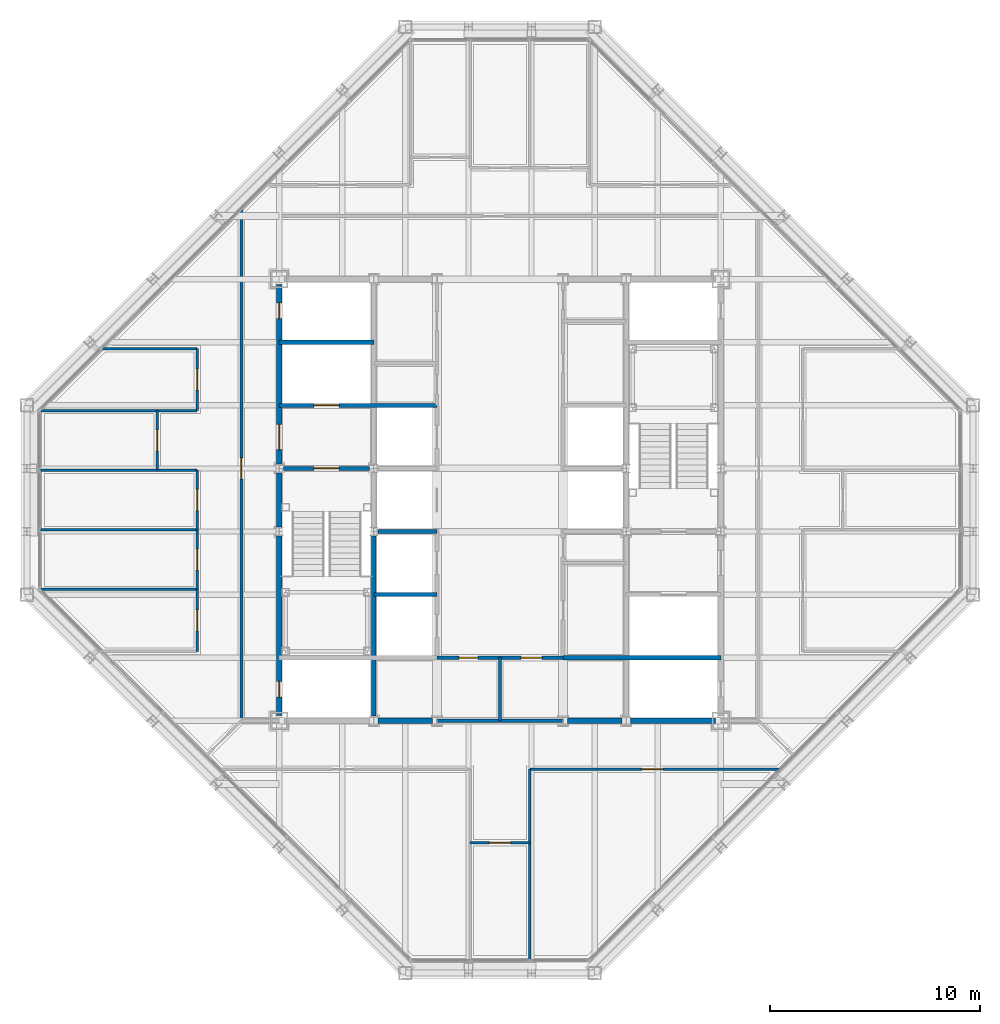
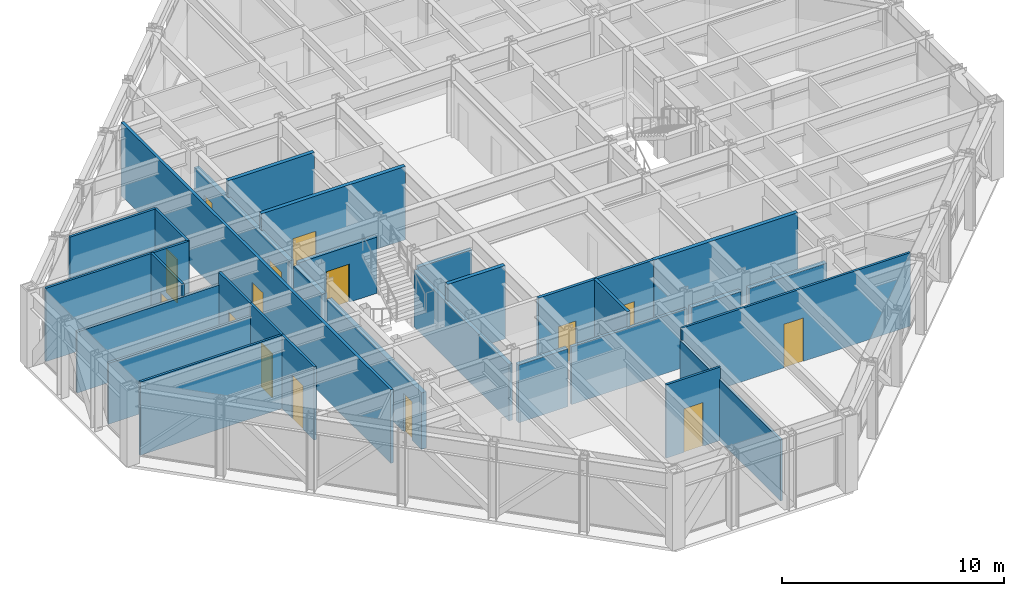
# One storey, part 10 of 15: 30 walls, 15 doors, 15 openings.
"""IFC4 building model written with IfcOpenShell, lengths in metres."""

from ifc_helpers import new_model, si_unit, direction, frame, frame_2d, origin, place, context, subcontext, project, spatial, rectangle, extrude, material, layer, layer_set, type_object, element, fill, save


model = new_model("IFC4")

# Units and contexts
model_context = context("Model", 3, precision=1e-05, world=origin(), true_north=direction((0.0, 1.0)))
body_context = subcontext(model_context, "Body", "Model", "MODEL_VIEW")
ifc_project = project(units=[si_unit("LENGTHUNIT", "METRE"), si_unit("AREAUNIT", "SQUARE_METRE"), si_unit("VOLUMEUNIT", "CUBIC_METRE"), si_unit("PLANEANGLEUNIT", "RADIAN"), si_unit("MASSUNIT", "GRAM", prefix="KILO")], contexts=[model_context])

# Site, building, storey
site_placement = place(None, origin())
site = spatial("IfcSite", under=ifc_project, at=site_placement, CompositionType="ELEMENT")
building_placement = place(site_placement, origin())
building = spatial("IfcBuilding", under=site, at=building_placement, Name="Chuquiago Exchange Tower", CompositionType="ELEMENT")
storey_placement = place(building_placement, frame((0.0, 0.0, 283.199951171875)))
storey = spatial("IfcBuildingStorey", under=building, at=storey_placement, Name="L63", CompositionType="ELEMENT", Elevation=283.199951171875)

# Wall, opening, door
ifc_material_1 = material(Name="Concrete masonry, fully grouted", Category="masonry")
ifc_layer_1 = layer(ifc_material_1, 0.25)
ifc_layer_set_1 = layer_set([ifc_layer_1], Name="W1 core wall 250")
wall_type_1 = type_object("IfcWallType", Name="W1 core wall 250", PredefinedType="SOLIDWALL", material=ifc_layer_set_1)
wall_1_placement = place(storey_placement, frame((12.0, 12.25, 0.0), z_axis=(0.0, 0.0, 1.0), x_axis=(0.0, 1.0, 0.0)))
wall_1 = element("IfcWall", 1, at=wall_1_placement, inside=storey, type_object=wall_type_1, Name="CW-L63-00-0", PredefinedType="SOLIDWALL", context=body_context, shape_type="SweptSolid", body=[
    extrude(rectangle(XDim=8.527587890625, YDim=0.25, at=frame_2d((4.263671875, 0.0))), origin(), (0.0, 0.0, 1.0), 3.113037109375),
])
opening_1_placement = place(wall_1_placement, frame((0.875, 0.0, 0.0)))
opening_1 = element("IfcOpeningElement", 2, at=opening_1_placement, cuts=wall_1, Name="Opening L63-007", PredefinedType="OPENING", context=body_context, shape_type="SweptSolid", body=[
    extrude(rectangle(XDim=0.75, YDim=2.10009765625, at=frame_2d((0.375, 1.050048828125))), frame((0.0, 0.135009765625, 0.0), z_axis=(0.0, -1.0, 0.0), x_axis=(1.0, 0.0, 0.0)), (0.0, 0.0, 1.0), 0.27001953125),
])
ifc_material_2 = material(Name="Steel door, painted", Category="steel")
door_type_1 = type_object("IfcDoorType", Name="D6 riser access door 750x2100", OperationType="SINGLE_SWING_LEFT", PredefinedType="DOOR", material=ifc_material_2)
door_1_placement = place(opening_1_placement, frame((0.75, 0.0, 0.0), z_axis=(0.0, 0.0, 1.0), x_axis=(-1.0, 0.0, 0.0)))
door_1 = element("IfcDoor", 3, at=door_1_placement, inside=storey, type_object=door_type_1, Name="Riser RW1 door", OperationType="SINGLE_SWING_RIGHT", OverallHeight=2.10009765625, OverallWidth=0.75, PredefinedType="DOOR", context=body_context, shape_type="SweptSolid", body=[
    extrude(rectangle(XDim=0.75, YDim=2.10009765625, at=frame_2d((0.375, 1.050048828125))), frame((0.0, 0.02490234375, 0.0), z_axis=(0.0, -1.0, 0.0), x_axis=(1.0, 0.0, 0.0)), (0.0, 0.0, 1.0), 0.050048828125),
])
fill(opening_1, door_1)

# Wall
wall_2_placement = place(storey_placement, frame((12.0, 21.222412109375, 0.0), z_axis=(0.0, 0.0, 1.0), x_axis=(0.0, 1.0, 0.0)))
element("IfcWall", 4, at=wall_2_placement, inside=storey, type_object=wall_type_1, Name="CW-L63-00-1", PredefinedType="SOLIDWALL", context=body_context, shape_type="SweptSolid", body=[
    extrude(rectangle(XDim=2.55517578125, YDim=0.25, at=frame_2d((1.277587890625, 0.0))), origin(), (0.0, 0.0, 1.0), 3.113037109375),
])

# Wall, openings, doors
wall_3_placement = place(storey_placement, frame((12.0, 24.222412109375, 0.0), z_axis=(0.0, 0.0, 1.0), x_axis=(0.0, 1.0, 0.0)))
wall_3 = element("IfcWall", 5, at=wall_3_placement, inside=storey, type_object=wall_type_1, Name="CW-L63-00-2", PredefinedType="SOLIDWALL", context=body_context, shape_type="SweptSolid", body=[
    extrude(rectangle(XDim=8.527587890625, YDim=0.25, at=frame_2d((4.263671875, 0.0))), origin(), (0.0, 0.0, 1.0), 3.113037109375),
])
opening_2_placement = place(wall_3_placement, frame((0.677734375, 0.0, 0.0)))
opening_2 = element("IfcOpeningElement", 6, at=opening_2_placement, cuts=wall_3, Name="Opening L63-002", PredefinedType="OPENING", context=body_context, shape_type="SweptSolid", body=[
    extrude(rectangle(XDim=1.199951171875, YDim=2.10009765625, at=frame_2d((0.60009765625, 1.050048828125))), frame((0.0, 0.135009765625, 0.0), z_axis=(0.0, -1.0, 0.0), x_axis=(1.0, 0.0, 0.0)), (0.0, 0.0, 1.0), 0.27001953125),
])
opening_3_placement = place(wall_3_placement, frame((6.902587890625, 0.0, 0.0)))
opening_3 = element("IfcOpeningElement", 7, at=opening_3_placement, cuts=wall_3, Name="Opening L63-008", PredefinedType="OPENING", context=body_context, shape_type="SweptSolid", body=[
    extrude(rectangle(XDim=0.75, YDim=2.10009765625, at=frame_2d((0.375, 1.050048828125))), frame((0.0, 0.135009765625, 0.0), z_axis=(0.0, -1.0, 0.0), x_axis=(1.0, 0.0, 0.0)), (0.0, 0.0, 1.0), 0.27001953125),
])
ifc_material_3 = material(Name="Steel door, painted", Category="steel")
door_type_2 = type_object("IfcDoorType", Name="D5 firefighting lobby door 1200x2100", OperationType="SINGLE_SWING_LEFT", PredefinedType="DOOR", material=ifc_material_3)
door_2_placement = place(opening_2_placement, frame((1.199951171875, 0.0, 0.0), z_axis=(0.0, 0.0, 1.0), x_axis=(-1.0, 0.0, 0.0)))
door_2 = element("IfcDoor", 8, at=door_2_placement, inside=storey, type_object=door_type_2, Name="Firefighting lobby 1 door", OperationType="SINGLE_SWING_RIGHT", OverallHeight=2.10009765625, OverallWidth=1.199951171875, PredefinedType="DOOR", context=body_context, shape_type="SweptSolid", body=[
    extrude(rectangle(XDim=1.199951171875, YDim=2.10009765625, at=frame_2d((0.60009765625, 1.050048828125))), frame((0.0, 0.02490234375, 0.0), z_axis=(0.0, -1.0, 0.0), x_axis=(1.0, 0.0, 0.0)), (0.0, 0.0, 1.0), 0.050048828125),
])
fill(opening_2, door_2)
door_3_placement = place(opening_3_placement, frame((0.75, 0.0, 0.0), z_axis=(0.0, 0.0, 1.0), x_axis=(-1.0, 0.0, 0.0)))
door_3 = element("IfcDoor", 9, at=door_3_placement, inside=storey, type_object=door_type_1, Name="Riser RW2 door", OperationType="SINGLE_SWING_LEFT", OverallHeight=2.10009765625, OverallWidth=0.75, PredefinedType="DOOR", context=body_context, shape_type="SweptSolid", body=[
    extrude(rectangle(XDim=0.75, YDim=2.10009765625, at=frame_2d((0.375, 1.050048828125))), frame((0.0, 0.02490234375, 0.0), z_axis=(0.0, -1.0, 0.0), x_axis=(1.0, 0.0, 0.0)), (0.0, 0.0, 1.0), 0.050048828125),
])
fill(opening_3, door_3)

# Walls
for number, where, z_axis, x_axis, name in (
    (10, (16.708251953125, 12.0, 0.0), (0.0, 0.0, 1.0), (1.0, 0.0, 0.0), "CW-L63-01-1"),
    (11, (25.708251953125, 12.0, 0.0), (0.0, 0.0, 1.0), (1.0, 0.0, 0.0), "CW-L63-02-0"),
):
    element("IfcWall", number, at=place(storey_placement, frame(where, z_axis=z_axis, x_axis=x_axis)), inside=storey, type_object=wall_type_1, Name=name, PredefinedType="SOLIDWALL", context=body_context, shape_type="SweptSolid", body=[
        extrude(rectangle(XDim=2.58349609375, YDim=0.25, at=frame_2d((1.291748046875, 0.0))), origin(), (0.0, 0.0, 1.0), 3.181640625),
    ])
wall_4_placement = place(storey_placement, frame((28.708251953125, 12.0, 0.0), z_axis=(0.0, 0.0, 1.0), x_axis=(1.0, 0.0, 0.0)))
element("IfcWall", 12, at=wall_4_placement, inside=storey, type_object=wall_type_1, Name="CW-L63-02-1", PredefinedType="SOLIDWALL", context=body_context, shape_type="SweptSolid", body=[
    extrude(rectangle(XDim=4.041748046875, YDim=0.25, at=frame_2d((2.02099609375, 0.0))), origin(), (0.0, 0.0, 1.0), 3.181640625),
])

# Wall, opening, door
ifc_material_4 = material(Name="Gypsum board on steel studs, acoustic insulation", Category="steel")
ifc_layer_2 = layer(ifc_material_4, 0.14990234375)
ifc_layer_set_2 = layer_set([ifc_layer_2], Name="W11 corridor wall 150")
wall_type_2 = type_object("IfcWallType", Name="W11 corridor wall 150", PredefinedType="PARTITIONING", material=ifc_layer_set_2)
wall_5_placement = place(storey_placement, frame((10.199951171875, 12.0, 0.0), z_axis=(0.0, 0.0, 1.0), x_axis=(0.0, 1.0, 0.0)))
wall_5 = element("IfcWall", 13, at=wall_5_placement, inside=storey, type_object=wall_type_2, Name="PW-L63-GW0", PredefinedType="PARTITIONING", context=body_context, shape_type="SweptSolid", body=[
    extrude(rectangle(XDim=24.314453125, YDim=0.14990234375, at=frame_2d((12.1572265625, 0.0))), origin(), (0.0, 0.0, 1.0), 4.0400390625),
])
opening_4_placement = place(wall_5_placement, frame((11.5, 0.0, 0.0)))
opening_4 = element("IfcOpeningElement", 14, at=opening_4_placement, cuts=wall_5, Name="Opening L63-040", PredefinedType="OPENING", context=body_context, shape_type="SweptSolid", body=[
    extrude(rectangle(XDim=1.0, YDim=2.39990234375, at=frame_2d((0.5, 1.199951171875))), frame((0.0, 0.0849609375, 0.0), z_axis=(0.0, -1.0, 0.0), x_axis=(1.0, 0.0, 0.0)), (0.0, 0.0, 1.0), 0.169921875),
])
ifc_material_5 = material(Name="Timber door, laminate faced", Category="wood")
door_type_3 = type_object("IfcDoorType", Name="D9 room door 1000x2400", OperationType="SINGLE_SWING_LEFT", PredefinedType="DOOR", material=ifc_material_5)
door_4_placement = place(opening_4_placement, origin())
door_4 = element("IfcDoor", 15, at=door_4_placement, inside=storey, type_object=door_type_3, Name="Team area door", OperationType="SINGLE_SWING_LEFT", OverallHeight=2.39990234375, OverallWidth=1.0, PredefinedType="DOOR", context=body_context, shape_type="SweptSolid", body=[
    extrude(rectangle(XDim=1.0, YDim=2.39990234375, at=frame_2d((0.5, 1.199951171875))), frame((0.0, 0.02490234375, 0.0), z_axis=(0.0, -1.0, 0.0), x_axis=(1.0, 0.0, 0.0)), (0.0, 0.0, 1.0), 0.050048828125),
])
fill(opening_4, door_4)

# Wall
ifc_material_6 = material(Name="Concrete masonry, fully grouted", Category="masonry")
ifc_layer_3 = layer(ifc_material_6, 0.199951171875)
ifc_layer_set_3 = layer_set([ifc_layer_3], Name="W2 shaft wall 200")
wall_type_3 = type_object("IfcWallType", Name="W2 shaft wall 200", PredefinedType="SOLIDWALL", material=ifc_layer_set_3)
wall_6_placement = place(storey_placement, frame((25.5, 15.0, 0.0), z_axis=(0.0, 0.0, 1.0), x_axis=(1.0, 0.0, 0.0)))
element("IfcWall", 16, at=wall_6_placement, inside=storey, type_object=wall_type_3, Name="CW-L63-04-0", PredefinedType="SOLIDWALL", context=body_context, shape_type="SweptSolid", body=[
    extrude(rectangle(XDim=7.5, YDim=0.199951171875, at=frame_2d((3.75, 0.0))), origin(), (0.0, 0.0, 1.0), 4.0400390625),
])

# Wall, opening, door
wall_7_placement = place(storey_placement, frame((12.208251953125, 24.0, 0.0), z_axis=(0.0, 0.0, 1.0), x_axis=(1.0, 0.0, 0.0)))
wall_7 = element("IfcWall", 17, at=wall_7_placement, inside=storey, type_object=wall_type_3, Name="CW-L63-05-0", PredefinedType="SOLIDWALL", context=body_context, shape_type="SweptSolid", body=[
    extrude(rectangle(XDim=4.08349609375, YDim=0.199951171875, at=frame_2d((2.041748046875, 0.0))), origin(), (0.0, 0.0, 1.0), 3.090087890625),
])
opening_5_placement = place(wall_7_placement, frame((1.441650390625, 0.0, 0.0)))
opening_5 = element("IfcOpeningElement", 18, at=opening_5_placement, cuts=wall_7, Name="Opening L63-001", PredefinedType="OPENING", context=body_context, shape_type="SweptSolid", body=[
    extrude(rectangle(XDim=1.199951171875, YDim=2.10009765625, at=frame_2d((0.60009765625, 1.050048828125))), frame((0.0, 0.10986328125, 0.0), z_axis=(0.0, -1.0, 0.0), x_axis=(1.0, 0.0, 0.0)), (0.0, 0.0, 1.0), 0.219970703125),
])
ifc_material_7 = material(Name="Steel door, painted", Category="steel")
door_type_4 = type_object("IfcDoorType", Name="D4 stair door 1200x2100", OperationType="SINGLE_SWING_LEFT", PredefinedType="DOOR", material=ifc_material_7)
door_5_placement = place(opening_5_placement, frame((1.199951171875, 0.0, 0.0), z_axis=(0.0, 0.0, 1.0), x_axis=(-1.0, 0.0, 0.0)))
door_5 = element("IfcDoor", 19, at=door_5_placement, inside=storey, type_object=door_type_4, Name="Stair ST1 door", OperationType="SINGLE_SWING_LEFT", OverallHeight=2.10009765625, OverallWidth=1.199951171875, PredefinedType="DOOR", context=body_context, shape_type="SweptSolid", body=[
    extrude(rectangle(XDim=1.199951171875, YDim=2.10009765625, at=frame_2d((0.60009765625, 1.050048828125))), frame((0.0, 0.02490234375, 0.0), z_axis=(0.0, -1.0, 0.0), x_axis=(1.0, 0.0, 0.0)), (0.0, 0.0, 1.0), 0.050048828125),
])
fill(opening_5, door_5)

wall_8_placement = place(storey_placement, frame((12.0, 27.0, 0.0), z_axis=(0.0, 0.0, 1.0), x_axis=(1.0, 0.0, 0.0)))
wall_8 = element("IfcWall", 20, at=wall_8_placement, inside=storey, type_object=wall_type_3, Name="CW-L63-07-0", PredefinedType="SOLIDWALL", context=body_context, shape_type="SweptSolid", body=[
    extrude(rectangle(XDim=7.5, YDim=0.199951171875, at=frame_2d((3.75, 0.0))), origin(), (0.0, 0.0, 1.0), 4.0400390625),
])
opening_6_placement = place(wall_8_placement, frame((1.64990234375, 0.0, 0.0)))
opening_6 = element("IfcOpeningElement", 21, at=opening_6_placement, cuts=wall_8, Name="Opening L63-005", PredefinedType="OPENING", context=body_context, shape_type="SweptSolid", body=[
    extrude(rectangle(XDim=1.199951171875, YDim=2.10009765625, at=frame_2d((0.60009765625, 1.050048828125))), frame((0.0, 0.10986328125, 0.0), z_axis=(0.0, -1.0, 0.0), x_axis=(1.0, 0.0, 0.0)), (0.0, 0.0, 1.0), 0.219970703125),
])
ifc_material_8 = material(Name="Stainless steel lift landing door", Category="steel")
door_type_5 = type_object("IfcDoorType", Name="LD2 firefighting lift landing door 1200x2100", OperationType="DOUBLE_DOOR_SLIDING", PredefinedType="DOOR", material=ifc_material_8)
door_6_placement = place(opening_6_placement, origin())
door_6 = element("IfcDoor", 22, at=door_6_placement, inside=storey, type_object=door_type_5, Name="Firefighting lift FL1 landing door", OperationType="DOUBLE_DOOR_SLIDING", OverallHeight=2.10009765625, OverallWidth=1.199951171875, PredefinedType="DOOR", context=body_context, shape_type="SweptSolid", body=[
    extrude(rectangle(XDim=1.199951171875, YDim=2.10009765625, at=frame_2d((0.60009765625, 1.050048828125))), frame((0.0, 0.02490234375, 0.0), z_axis=(0.0, -1.0, 0.0), x_axis=(1.0, 0.0, 0.0)), (0.0, 0.0, 1.0), 0.050048828125),
])
fill(opening_6, door_6)

# Walls
wall_9_placement = place(storey_placement, frame((12.0, 30.0, 0.0), z_axis=(0.0, 0.0, 1.0), x_axis=(1.0, 0.0, 0.0)))
element("IfcWall", 23, at=wall_9_placement, inside=storey, type_object=wall_type_3, Name="CW-L63-09-0", PredefinedType="SOLIDWALL", context=body_context, shape_type="SweptSolid", body=[
    extrude(rectangle(XDim=4.5, YDim=0.199951171875, at=frame_2d((2.25, 0.0))), origin(), (0.0, 0.0, 1.0), 4.0400390625),
])
wall_10_placement = place(storey_placement, frame((16.5, 12.222412109375, 0.0), z_axis=(0.0, 0.0, 1.0), x_axis=(0.0, 1.0, 0.0)))
element("IfcWall", 24, at=wall_10_placement, inside=storey, type_object=wall_type_3, Name="CW-L63-13-0", PredefinedType="SOLIDWALL", context=body_context, shape_type="SweptSolid", body=[
    extrude(rectangle(XDim=8.55517578125, YDim=0.199951171875, at=frame_2d((4.277587890625, 0.0))), origin(), (0.0, 0.0, 1.0), 3.113037109375),
])
wall_11_placement = place(storey_placement, frame((16.5, 18.0, 0.0), z_axis=(0.0, 0.0, 1.0), x_axis=(1.0, 0.0, 0.0)))
element("IfcWall", 25, at=wall_11_placement, inside=storey, type_object=wall_type_3, Name="CW-L63-14-0", PredefinedType="SOLIDWALL", context=body_context, shape_type="SweptSolid", body=[
    extrude(rectangle(XDim=3.0, YDim=0.199951171875, at=frame_2d((1.5, 0.0))), origin(), (0.0, 0.0, 1.0), 4.0400390625),
])
wall_12_placement = place(storey_placement, frame((16.708251953125, 21.0, 0.0), z_axis=(0.0, 0.0, 1.0), x_axis=(1.0, 0.0, 0.0)))
element("IfcWall", 26, at=wall_12_placement, inside=storey, type_object=wall_type_3, Name="CW-L63-16-0", PredefinedType="SOLIDWALL", context=body_context, shape_type="SweptSolid", body=[
    extrude(rectangle(XDim=2.791748046875, YDim=0.199951171875, at=frame_2d((1.39599609375, 0.0))), origin(), (0.0, 0.0, 1.0), 3.090087890625),
])

# Wall, openings, doors
ifc_material_9 = material(Name="Gypsum board on steel studs", Category="steel")
ifc_layer_4 = layer(ifc_material_9, 0.14990234375)
ifc_layer_set_4 = layer_set([ifc_layer_4], Name="W3 core partition 150")
wall_type_4 = type_object("IfcWallType", Name="W3 core partition 150", PredefinedType="PARTITIONING", material=ifc_layer_set_4)
wall_13_placement = place(storey_placement, frame((19.5, 15.0, 0.0), z_axis=(0.0, 0.0, 1.0), x_axis=(1.0, 0.0, 0.0)))
wall_13 = element("IfcWall", 27, at=wall_13_placement, inside=storey, type_object=wall_type_4, Name="CW-L63-TF", PredefinedType="PARTITIONING", context=body_context, shape_type="SweptSolid", body=[
    extrude(rectangle(XDim=6.0, YDim=0.14990234375, at=frame_2d((3.0, 0.0))), origin(), (0.0, 0.0, 1.0), 4.0400390625),
])
opening_7_placement = place(wall_13_placement, frame((4.0, 0.0, 0.0)))
opening_7 = element("IfcOpeningElement", 28, at=opening_7_placement, cuts=wall_13, Name="Opening L63-015", PredefinedType="OPENING", context=body_context, shape_type="SweptSolid", body=[
    extrude(rectangle(XDim=1.0, YDim=2.10009765625, at=frame_2d((0.5, 1.050048828125))), frame((0.0, 0.0849609375, 0.0), z_axis=(0.0, -1.0, 0.0), x_axis=(1.0, 0.0, 0.0)), (0.0, 0.0, 1.0), 0.169921875),
])
opening_8_placement = place(wall_13_placement, frame((1.050048828125, 0.0, 0.0)))
opening_8 = element("IfcOpeningElement", 29, at=opening_8_placement, cuts=wall_13, Name="Opening L63-018", PredefinedType="OPENING", context=body_context, shape_type="SweptSolid", body=[
    extrude(rectangle(XDim=0.89990234375, YDim=2.10009765625, at=frame_2d((0.449951171875, 1.050048828125))), frame((0.0, 0.0849609375, 0.0), z_axis=(0.0, -1.0, 0.0), x_axis=(1.0, 0.0, 0.0)), (0.0, 0.0, 1.0), 0.169921875),
])
ifc_material_10 = material(Name="Timber door, laminate faced", Category="wood")
door_type_6 = type_object("IfcDoorType", Name="D7 toilet door 900x2100", OperationType="SINGLE_SWING_LEFT", PredefinedType="DOOR", material=ifc_material_10)
door_7_placement = place(opening_8_placement, origin())
door_7 = element("IfcDoor", 30, at=door_7_placement, inside=storey, type_object=door_type_6, Name="Cleaner door", OperationType="SINGLE_SWING_LEFT", OverallHeight=2.10009765625, OverallWidth=0.89990234375, PredefinedType="DOOR", context=body_context, shape_type="SweptSolid", body=[
    extrude(rectangle(XDim=0.89990234375, YDim=2.10009765625, at=frame_2d((0.449951171875, 1.050048828125))), frame((0.0, 0.02490234375, 0.0), z_axis=(0.0, -1.0, 0.0), x_axis=(1.0, 0.0, 0.0)), (0.0, 0.0, 1.0), 0.050048828125),
])
fill(opening_8, door_7)
ifc_material_11 = material(Name="Timber door, laminate faced", Category="wood")
door_type_7 = type_object("IfcDoorType", Name="D8 accessible toilet door 1000x2100", OperationType="SLIDING_TO_LEFT", PredefinedType="DOOR", material=ifc_material_11)
door_8_placement = place(opening_7_placement, origin())
door_8 = element("IfcDoor", 31, at=door_8_placement, inside=storey, type_object=door_type_7, Name="Accessible WC door", OperationType="SLIDING_TO_LEFT", OverallHeight=2.10009765625, OverallWidth=1.0, PredefinedType="DOOR", context=body_context, shape_type="SweptSolid", body=[
    extrude(rectangle(XDim=1.0, YDim=2.10009765625, at=frame_2d((0.5, 1.050048828125))), frame((0.0, 0.02490234375, 0.0), z_axis=(0.0, -1.0, 0.0), x_axis=(1.0, 0.0, 0.0)), (0.0, 0.0, 1.0), 0.050048828125),
])
fill(opening_7, door_8)

# Walls
wall_14_placement = place(storey_placement, frame((22.5, 15.0, 0.0), z_axis=(0.0, 0.0, 1.0), x_axis=(0.0, -1.0, 0.0)))
element("IfcWall", 32, at=wall_14_placement, inside=storey, type_object=wall_type_4, Name="CW-L63-TM", PredefinedType="PARTITIONING", context=body_context, shape_type="SweptSolid", body=[
    extrude(rectangle(XDim=3.0, YDim=0.14990234375, at=frame_2d((1.5, 0.0))), origin(), (0.0, 0.0, 1.0), 4.0400390625),
])
wall_15_placement = place(storey_placement, frame((19.5, 12.0, 0.0), z_axis=(0.0, 0.0, 1.0), x_axis=(1.0, 0.0, 0.0)))
element("IfcWall", 33, at=wall_15_placement, inside=storey, type_object=wall_type_4, Name="CW-L63-TB", PredefinedType="PARTITIONING", context=body_context, shape_type="SweptSolid", body=[
    extrude(rectangle(XDim=6.0, YDim=0.14990234375, at=frame_2d((3.0, 0.0))), origin(), (0.0, 0.0, 1.0), 3.181640625),
])
ifc_material_12 = material(Name="Gypsum board on steel studs", Category="steel")
ifc_layer_5 = layer(ifc_material_12, 0.1201171875)
ifc_layer_set_5 = layer_set([ifc_layer_5], Name="W4 partition 120")
wall_type_5 = type_object("IfcWallType", Name="W4 partition 120", PredefinedType="PARTITIONING", material=ifc_layer_set_5)
wall_16_placement = place(storey_placement, frame((23.917236328125, 0.652587890625, 0.0), z_axis=(0.0, 0.0, 1.0), x_axis=(0.0, 1.0, 0.0)))
element("IfcWall", 34, at=wall_16_placement, inside=storey, type_object=wall_type_5, Name="PW-L63-S02392", PredefinedType="PARTITIONING", context=body_context, shape_type="SweptSolid", body=[
    extrude(rectangle(XDim=9.04736328125, YDim=0.1201171875, at=frame_2d((4.523681640625, 0.0))), origin(), (0.0, 0.0, 1.0), 3.35693359375),
])

# Wall, opening, door
wall_17_placement = place(storey_placement, frame((21.082763671875, 6.199951171875, 0.0), z_axis=(0.0, 0.0, 1.0), x_axis=(1.0, 0.0, 0.0)))
wall_17 = element("IfcWall", 35, at=wall_17_placement, inside=storey, type_object=wall_type_5, Name="PW-L63-SF02108", PredefinedType="PARTITIONING", context=body_context, shape_type="SweptSolid", body=[
    extrude(rectangle(XDim=2.83447265625, YDim=0.1201171875, at=frame_2d((1.417236328125, 0.0))), origin(), (0.0, 0.0, 1.0), 4.0400390625),
])
opening_9_placement = place(wall_17_placement, frame((0.917236328125, 0.0, 0.0)))
opening_9 = element("IfcOpeningElement", 36, at=opening_9_placement, cuts=wall_17, Name="Opening L63-024", PredefinedType="OPENING", context=body_context, shape_type="SweptSolid", body=[
    extrude(rectangle(XDim=1.0, YDim=2.39990234375, at=frame_2d((0.5, 1.199951171875))), frame((0.0, 0.070068359375, 0.0), z_axis=(0.0, -1.0, 0.0), x_axis=(1.0, 0.0, 0.0)), (0.0, 0.0, 1.0), 0.14013671875),
])
ifc_material_13 = material(Name="Timber frame door, full height glazed panel", Category="wood")
door_type_8 = type_object("IfcDoorType", Name="D14 glazed meeting room door 1000x2400", OperationType="SINGLE_SWING_LEFT", PredefinedType="DOOR", material=ifc_material_13)
door_9_placement = place(opening_9_placement, frame((1.0, 0.0, 0.0), z_axis=(0.0, 0.0, 1.0), x_axis=(-1.0, 0.0, 0.0)))
door_9 = element("IfcDoor", 37, at=door_9_placement, inside=storey, type_object=door_type_8, Name="Focus room door", OperationType="SINGLE_SWING_RIGHT", OverallHeight=2.39990234375, OverallWidth=1.0, PredefinedType="DOOR", context=body_context, shape_type="SweptSolid", body=[
    extrude(rectangle(XDim=1.0, YDim=2.39990234375, at=frame_2d((0.5, 1.199951171875))), frame((0.0, 0.02490234375, 0.0), z_axis=(0.0, -1.0, 0.0), x_axis=(1.0, 0.0, 0.0)), (0.0, 0.0, 1.0), 0.050048828125),
])
fill(opening_9, door_9)

wall_18_placement = place(storey_placement, frame((23.917236328125, 9.699951171875, 0.0), z_axis=(0.0, 0.0, 1.0), x_axis=(1.0, 0.0, 0.0)))
wall_18 = element("IfcWall", 38, at=wall_18_placement, inside=storey, type_object=wall_type_5, Name="PW-L63-SF02392", PredefinedType="PARTITIONING", context=body_context, shape_type="SweptSolid", body=[
    extrude(rectangle(XDim=11.897216796875, YDim=0.1201171875, at=frame_2d((5.94873046875, 0.0))), origin(), (0.0, 0.0, 1.0), 4.0400390625),
])
opening_10_placement = place(wall_18_placement, frame((5.3291015625, 0.0, 0.0)))
opening_10 = element("IfcOpeningElement", 39, at=opening_10_placement, cuts=wall_18, Name="Opening L63-025", PredefinedType="OPENING", context=body_context, shape_type="SweptSolid", body=[
    extrude(rectangle(XDim=1.0, YDim=2.39990234375, at=frame_2d((0.5, 1.199951171875))), frame((0.0, 0.070068359375, 0.0), z_axis=(0.0, -1.0, 0.0), x_axis=(1.0, 0.0, 0.0)), (0.0, 0.0, 1.0), 0.14013671875),
])
door_10_placement = place(opening_10_placement, frame((1.0, 0.0, 0.0), z_axis=(0.0, 0.0, 1.0), x_axis=(-1.0, 0.0, 0.0)))
door_10 = element("IfcDoor", 40, at=door_10_placement, inside=storey, type_object=door_type_8, Name="Conference room door", OperationType="SINGLE_SWING_RIGHT", OverallHeight=2.39990234375, OverallWidth=1.0, PredefinedType="DOOR", context=body_context, shape_type="SweptSolid", body=[
    extrude(rectangle(XDim=1.0, YDim=2.39990234375, at=frame_2d((0.5, 1.199951171875))), frame((0.0, 0.02490234375, 0.0), z_axis=(0.0, -1.0, 0.0), x_axis=(1.0, 0.0, 0.0)), (0.0, 0.0, 1.0), 0.050048828125),
])
fill(opening_10, door_10)

# Walls
wall_19_placement = place(storey_placement, frame((0.666015625, 18.24853515625, 0.0), z_axis=(0.0, 0.0, 1.0), x_axis=(1.0, 0.0, 0.0)))
element("IfcWall", 41, at=wall_19_placement, inside=storey, type_object=wall_type_5, Name="PW-L63-W01825", PredefinedType="PARTITIONING", context=body_context, shape_type="SweptSolid", body=[
    extrude(rectangle(XDim=7.43408203125, YDim=0.1201171875, at=frame_2d((3.717041015625, 0.0))), origin(), (0.0, 0.0, 1.0), 4.0400390625),
])
for number, where, z_axis, x_axis, name in (
    (42, (0.652587890625, 21.082763671875, 0.0), (0.0, 0.0, 1.0), (1.0, 0.0, 0.0), "PW-L63-W02108"),
    (43, (0.652587890625, 23.917236328125, 0.0), (0.0, 0.0, 1.0), (1.0, 0.0, 0.0), "PW-L63-W02392"),
):
    element("IfcWall", number, at=place(storey_placement, frame(where, z_axis=z_axis, x_axis=x_axis)), inside=storey, type_object=wall_type_5, Name=name, PredefinedType="PARTITIONING", context=body_context, shape_type="SweptSolid", body=[
        extrude(rectangle(XDim=7.447509765625, YDim=0.1201171875, at=frame_2d((3.7236328125, 0.0))), origin(), (0.0, 0.0, 1.0), 3.35693359375),
    ])
wall_20_placement = place(storey_placement, frame((0.666015625, 26.75146484375, 0.0), z_axis=(0.0, 0.0, 1.0), x_axis=(1.0, 0.0, 0.0)))
element("IfcWall", 44, at=wall_20_placement, inside=storey, type_object=wall_type_5, Name="PW-L63-W02675", PredefinedType="PARTITIONING", context=body_context, shape_type="SweptSolid", body=[
    extrude(rectangle(XDim=7.43408203125, YDim=0.1201171875, at=frame_2d((3.717041015625, 0.0))), origin(), (0.0, 0.0, 1.0), 4.0400390625),
])
wall_21_placement = place(storey_placement, frame((3.607421875, 29.69287109375, 0.0), z_axis=(0.0, 0.0, 1.0), x_axis=(1.0, 0.0, 0.0)))
element("IfcWall", 45, at=wall_21_placement, inside=storey, type_object=wall_type_5, Name="PW-L63-W02969", PredefinedType="PARTITIONING", context=body_context, shape_type="SweptSolid", body=[
    extrude(rectangle(XDim=4.49267578125, YDim=0.1201171875, at=frame_2d((2.246337890625, 0.0))), origin(), (0.0, 0.0, 1.0), 4.0400390625),
])

# Wall, opening, door
wall_22_placement = place(storey_placement, frame((8.10009765625, 15.30712890625, 0.0), z_axis=(0.0, 0.0, 1.0), x_axis=(0.0, 1.0, 0.0)))
wall_22 = element("IfcWall", 46, at=wall_22_placement, inside=storey, type_object=wall_type_5, Name="PW-L63-WF01531", PredefinedType="PARTITIONING", context=body_context, shape_type="SweptSolid", body=[
    extrude(rectangle(XDim=2.94140625, YDim=0.1201171875, at=frame_2d((1.470703125, 0.0))), origin(), (0.0, 0.0, 1.0), 4.0400390625),
])
opening_11_placement = place(wall_22_placement, frame((0.970703125, 0.0, 0.0)))
opening_11 = element("IfcOpeningElement", 47, at=opening_11_placement, cuts=wall_22, Name="Opening L63-034", PredefinedType="OPENING", context=body_context, shape_type="SweptSolid", body=[
    extrude(rectangle(XDim=1.0, YDim=2.39990234375, at=frame_2d((0.5, 1.199951171875))), frame((0.0, 0.070068359375, 0.0), z_axis=(0.0, -1.0, 0.0), x_axis=(1.0, 0.0, 0.0)), (0.0, 0.0, 1.0), 0.14013671875),
])
door_11_placement = place(opening_11_placement, origin())
door_11 = element("IfcDoor", 48, at=door_11_placement, inside=storey, type_object=door_type_8, Name="Meeting room door", OperationType="SINGLE_SWING_RIGHT", OverallHeight=2.39990234375, OverallWidth=1.0, PredefinedType="DOOR", context=body_context, shape_type="SweptSolid", body=[
    extrude(rectangle(XDim=1.0, YDim=2.39990234375, at=frame_2d((0.5, 1.199951171875))), frame((0.0, 0.02490234375, 0.0), z_axis=(0.0, -1.0, 0.0), x_axis=(1.0, 0.0, 0.0)), (0.0, 0.0, 1.0), 0.050048828125),
])
fill(opening_11, door_11)

wall_23_placement = place(storey_placement, frame((8.10009765625, 18.24853515625, 0.0), z_axis=(0.0, 0.0, 1.0), x_axis=(0.0, 1.0, 0.0)))
wall_23 = element("IfcWall", 49, at=wall_23_placement, inside=storey, type_object=wall_type_5, Name="PW-L63-WF01825", PredefinedType="PARTITIONING", context=body_context, shape_type="SweptSolid", body=[
    extrude(rectangle(XDim=2.834228515625, YDim=0.1201171875, at=frame_2d((1.4169921875, 0.0))), origin(), (0.0, 0.0, 1.0), 4.0400390625),
])
opening_12_placement = place(wall_23_placement, frame((0.9169921875, 0.0, 0.0)))
opening_12 = element("IfcOpeningElement", 50, at=opening_12_placement, cuts=wall_23, Name="Opening L63-035", PredefinedType="OPENING", context=body_context, shape_type="SweptSolid", body=[
    extrude(rectangle(XDim=1.0, YDim=2.39990234375, at=frame_2d((0.5, 1.199951171875))), frame((0.0, 0.070068359375, 0.0), z_axis=(0.0, -1.0, 0.0), x_axis=(1.0, 0.0, 0.0)), (0.0, 0.0, 1.0), 0.14013671875),
])
door_12_placement = place(opening_12_placement, origin())
door_12 = element("IfcDoor", 51, at=door_12_placement, inside=storey, type_object=door_type_8, Name="Meeting room door", OperationType="SINGLE_SWING_LEFT", OverallHeight=2.39990234375, OverallWidth=1.0, PredefinedType="DOOR", context=body_context, shape_type="SweptSolid", body=[
    extrude(rectangle(XDim=1.0, YDim=2.39990234375, at=frame_2d((0.5, 1.199951171875))), frame((0.0, 0.02490234375, 0.0), z_axis=(0.0, -1.0, 0.0), x_axis=(1.0, 0.0, 0.0)), (0.0, 0.0, 1.0), 0.050048828125),
])
fill(opening_12, door_12)

wall_24_placement = place(storey_placement, frame((8.10009765625, 21.082763671875, 0.0), z_axis=(0.0, 0.0, 1.0), x_axis=(0.0, 1.0, 0.0)))
wall_24 = element("IfcWall", 52, at=wall_24_placement, inside=storey, type_object=wall_type_5, Name="PW-L63-WF02108", PredefinedType="PARTITIONING", context=body_context, shape_type="SweptSolid", body=[
    extrude(rectangle(XDim=2.83447265625, YDim=0.1201171875, at=frame_2d((1.417236328125, 0.0))), origin(), (0.0, 0.0, 1.0), 4.0400390625),
])
opening_13_placement = place(wall_24_placement, frame((0.917236328125, 0.0, 0.0)))
opening_13 = element("IfcOpeningElement", 53, at=opening_13_placement, cuts=wall_24, Name="Opening L63-036", PredefinedType="OPENING", context=body_context, shape_type="SweptSolid", body=[
    extrude(rectangle(XDim=1.0, YDim=2.39990234375, at=frame_2d((0.5, 1.199951171875))), frame((0.0, 0.070068359375, 0.0), z_axis=(0.0, -1.0, 0.0), x_axis=(1.0, 0.0, 0.0)), (0.0, 0.0, 1.0), 0.14013671875),
])
door_13_placement = place(opening_13_placement, origin())
door_13 = element("IfcDoor", 54, at=door_13_placement, inside=storey, type_object=door_type_8, Name="Meeting room door", OperationType="SINGLE_SWING_LEFT", OverallHeight=2.39990234375, OverallWidth=1.0, PredefinedType="DOOR", context=body_context, shape_type="SweptSolid", body=[
    extrude(rectangle(XDim=1.0, YDim=2.39990234375, at=frame_2d((0.5, 1.199951171875))), frame((0.0, 0.02490234375, 0.0), z_axis=(0.0, -1.0, 0.0), x_axis=(1.0, 0.0, 0.0)), (0.0, 0.0, 1.0), 0.050048828125),
])
fill(opening_13, door_13)

wall_25_placement = place(storey_placement, frame((6.199951171875, 23.917236328125, 0.0), z_axis=(0.0, 0.0, 1.0), x_axis=(0.0, 1.0, 0.0)))
wall_25 = element("IfcWall", 55, at=wall_25_placement, inside=storey, type_object=wall_type_5, Name="PW-L63-WF02392", PredefinedType="PARTITIONING", context=body_context, shape_type="SweptSolid", body=[
    extrude(rectangle(XDim=2.834228515625, YDim=0.1201171875, at=frame_2d((1.4169921875, 0.0))), origin(), (0.0, 0.0, 1.0), 4.0400390625),
])
opening_14_placement = place(wall_25_placement, frame((0.9169921875, 0.0, 0.0)))
opening_14 = element("IfcOpeningElement", 56, at=opening_14_placement, cuts=wall_25, Name="Opening L63-037", PredefinedType="OPENING", context=body_context, shape_type="SweptSolid", body=[
    extrude(rectangle(XDim=1.0, YDim=2.39990234375, at=frame_2d((0.5, 1.199951171875))), frame((0.0, 0.070068359375, 0.0), z_axis=(0.0, -1.0, 0.0), x_axis=(1.0, 0.0, 0.0)), (0.0, 0.0, 1.0), 0.14013671875),
])
door_14_placement = place(opening_14_placement, origin())
door_14 = element("IfcDoor", 57, at=door_14_placement, inside=storey, type_object=door_type_8, Name="Wellness room door", OperationType="SINGLE_SWING_LEFT", OverallHeight=2.39990234375, OverallWidth=1.0, PredefinedType="DOOR", context=body_context, shape_type="SweptSolid", body=[
    extrude(rectangle(XDim=1.0, YDim=2.39990234375, at=frame_2d((0.5, 1.199951171875))), frame((0.0, 0.02490234375, 0.0), z_axis=(0.0, -1.0, 0.0), x_axis=(1.0, 0.0, 0.0)), (0.0, 0.0, 1.0), 0.050048828125),
])
fill(opening_14, door_14)

wall_26_placement = place(storey_placement, frame((8.10009765625, 26.75146484375, 0.0), z_axis=(0.0, 0.0, 1.0), x_axis=(0.0, 1.0, 0.0)))
wall_26 = element("IfcWall", 58, at=wall_26_placement, inside=storey, type_object=wall_type_5, Name="PW-L63-WF02675", PredefinedType="PARTITIONING", context=body_context, shape_type="SweptSolid", body=[
    extrude(rectangle(XDim=2.94140625, YDim=0.1201171875, at=frame_2d((1.470703125, 0.0))), origin(), (0.0, 0.0, 1.0), 4.0400390625),
])
opening_15_placement = place(wall_26_placement, frame((0.970703125, 0.0, 0.0)))
opening_15 = element("IfcOpeningElement", 59, at=opening_15_placement, cuts=wall_26, Name="Opening L63-038", PredefinedType="OPENING", context=body_context, shape_type="SweptSolid", body=[
    extrude(rectangle(XDim=1.0, YDim=2.39990234375, at=frame_2d((0.5, 1.199951171875))), frame((0.0, 0.070068359375, 0.0), z_axis=(0.0, -1.0, 0.0), x_axis=(1.0, 0.0, 0.0)), (0.0, 0.0, 1.0), 0.14013671875),
])
door_15_placement = place(opening_15_placement, origin())
door_15 = element("IfcDoor", 60, at=door_15_placement, inside=storey, type_object=door_type_8, Name="Meeting room door", OperationType="SINGLE_SWING_LEFT", OverallHeight=2.39990234375, OverallWidth=1.0, PredefinedType="DOOR", context=body_context, shape_type="SweptSolid", body=[
    extrude(rectangle(XDim=1.0, YDim=2.39990234375, at=frame_2d((0.5, 1.199951171875))), frame((0.0, 0.02490234375, 0.0), z_axis=(0.0, -1.0, 0.0), x_axis=(1.0, 0.0, 0.0)), (0.0, 0.0, 1.0), 0.050048828125),
])
fill(opening_15, door_15)

save(model, "model.ifc")
